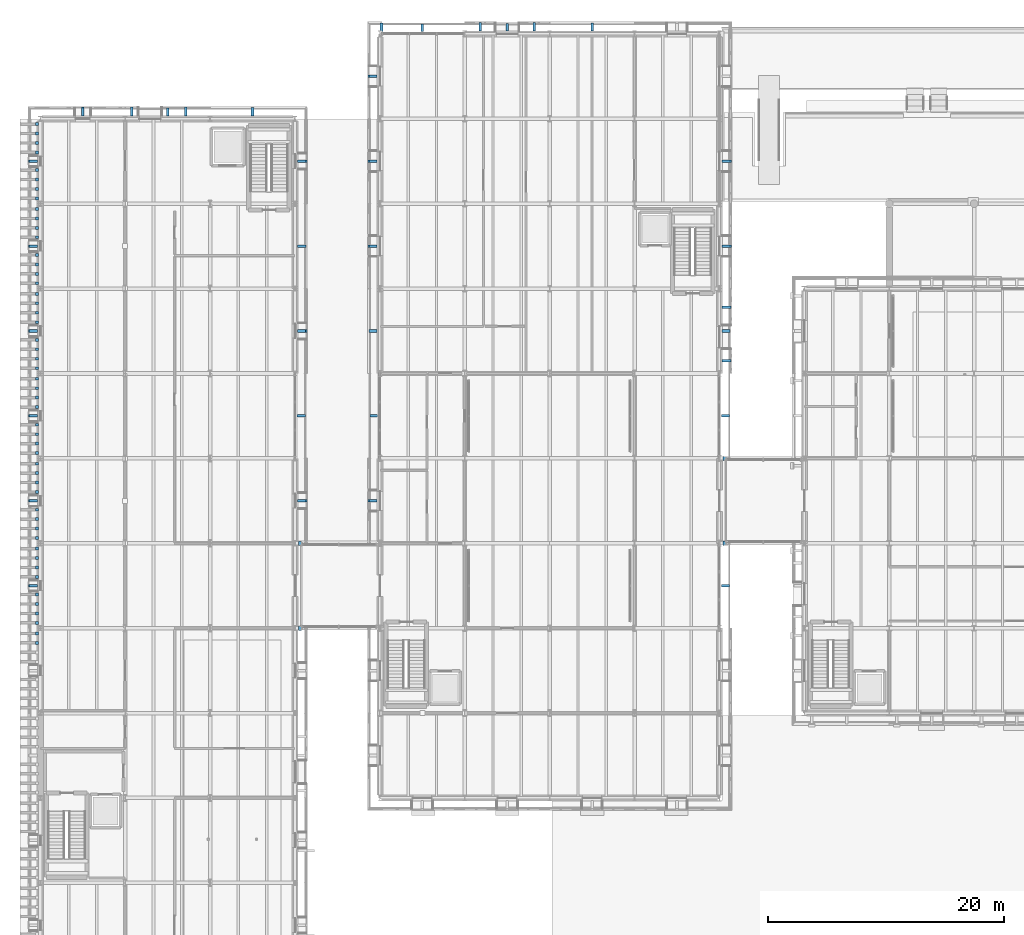
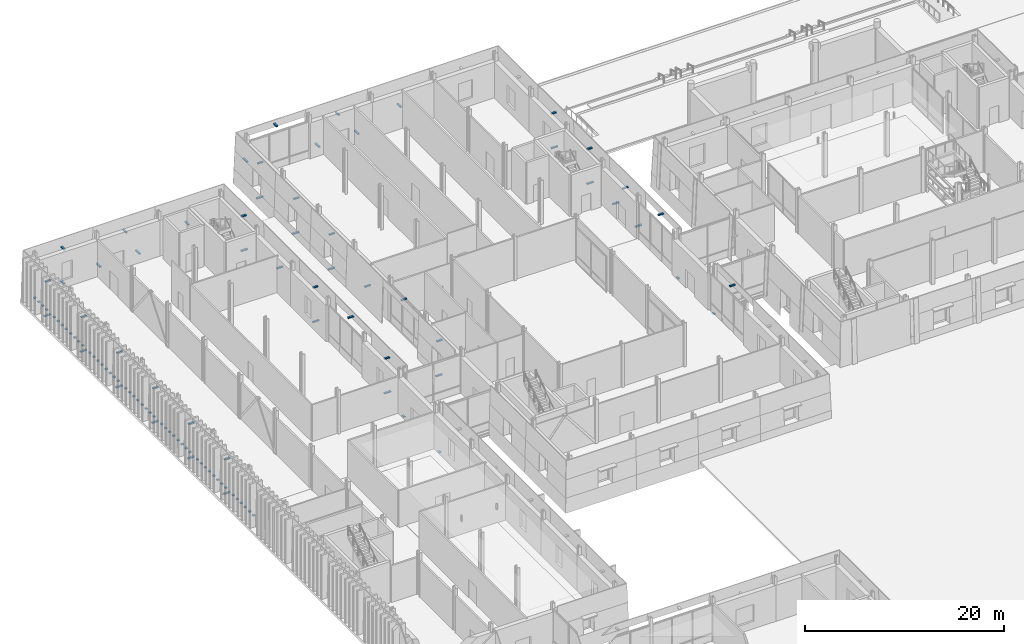
# One storey, part 90 of 120: 105 discrete accessories.
"""IFC4 building model written with IfcOpenShell, lengths in metres."""

from ifc_helpers import new_model, si_unit, direction, frame, origin, origin_2d, place, context, subcontext, project, spatial, rectangle, extrude, material, layer, layer_set, type_object, element, save


model = new_model("IFC4")

# Units and contexts
model_context = context("Model", 3, precision=1e-05, world=origin(), true_north=direction((0.0, 1.0)))
body_context = subcontext(model_context, "Body", "Model", "MODEL_VIEW")
ifc_project = project(units=[si_unit("LENGTHUNIT", "METRE"), si_unit("AREAUNIT", "SQUARE_METRE"), si_unit("VOLUMEUNIT", "CUBIC_METRE"), si_unit("PLANEANGLEUNIT", "RADIAN"), si_unit("MASSUNIT", "GRAM", prefix="KILO")], contexts=[model_context])

# Site, building, storey
site_placement = place(None, origin())
site = spatial("IfcSite", under=ifc_project, at=site_placement, CompositionType="ELEMENT")
building_placement = place(site_placement, origin())
building = spatial("IfcBuilding", under=site, at=building_placement, Name="Narikvali Park Central Library", CompositionType="ELEMENT")
storey_placement = place(building_placement, origin())
storey = spatial("IfcBuildingStorey", under=building, at=storey_placement, Name="L00", CompositionType="ELEMENT", Elevation=0.0)

# Discrete accessories
ifc_material_1 = material(Name="Brushed Stainless Steel S355", Category="steel")
ifc_layer_1 = layer(ifc_material_1, 0.139892578125, Name="Brushed Stainless Steel S355")
ifc_layer_set_1 = layer_set([ifc_layer_1], Name="Brushed Stainless Steel S355")
discrete_accessory_type_1 = type_object("IfcDiscreteAccessoryType", Name="Cladding Stainless Tie-Back Corbel Bracket", PredefinedType="BRACKET", material=ifc_layer_set_1)
for number, where, z_axis, x_axis, name in (
    (1, (58.12158203125, 68.39990234375, 4.8798828125), (0.0, 0.0, 1.0), (1.0, 0.0, 0.0), "Limestone Cladding Tie-Back Bracket V4-CLD-L00-E-B03-HDR"),
    (2, (58.12158203125, 82.800048828125, 4.8798828125), (0.0, 0.0, 1.0), (1.0, 0.0, 0.0), "Limestone Cladding Tie-Back Bracket V4-CLD-L00-E-B05-HDR"),
):
    element("IfcDiscreteAccessory", number, at=place(storey_placement, frame(where, z_axis=z_axis, x_axis=x_axis)), inside=storey, type_object=discrete_accessory_type_1, Name=name, PredefinedType="BRACKET", context=body_context, shape_type="SweptSolid", body=[
        extrude(rectangle(XDim=0.6630859375, YDim=0.219970703125, at=origin_2d()), origin(), (0.0, 0.0, 1.0), 0.139892578125),
    ])
for number, where, z_axis, x_axis, name in (
    (3, (58.2060546875, 87.469970703125, 0.60986328125), (0.0, 0.0, 1.0), (1.0, 0.0, 0.0), "Limestone Cladding Tie-Back Bracket V4-CLD-L00-E-B06-DL"),
    (4, (58.2060546875, 92.030029296875, 0.60986328125), (0.0, 0.0, 1.0), (1.0, 0.0, 0.0), "Limestone Cladding Tie-Back Bracket V4-CLD-L00-E-B06-DR"),
):
    element("IfcDiscreteAccessory", number, at=place(storey_placement, frame(where, z_axis=z_axis, x_axis=x_axis)), inside=storey, type_object=discrete_accessory_type_1, Name=name, PredefinedType="BRACKET", context=body_context, shape_type="SweptSolid", body=[
        extrude(rectangle(XDim=0.752197265625, YDim=0.219970703125, at=origin_2d()), origin(), (0.0, 0.0, 1.0), 0.139892578125),
    ])
discrete_accessory_1_placement = place(storey_placement, frame((58.16064453125, 90.0, 3.75), z_axis=(0.0, 0.0, 1.0), x_axis=(1.0, 0.0, 0.0)))
element("IfcDiscreteAccessory", 5, at=discrete_accessory_1_placement, inside=storey, type_object=discrete_accessory_type_1, Name="Limestone Cladding Tie-Back Bracket V4-CLD-L00-E-B06-DH", PredefinedType="BRACKET", context=body_context, shape_type="SweptSolid", body=[
    extrude(rectangle(XDim=0.661376953125, YDim=0.219970703125, at=origin_2d()), origin(), (0.0, 0.0, 1.0), 0.139892578125),
])
discrete_accessory_2_placement = place(storey_placement, frame((58.217041015625, 97.199951171875, -0.03515625), z_axis=(0.0, 0.0, 1.0), x_axis=(1.0, 0.0, 0.0)))
element("IfcDiscreteAccessory", 6, at=discrete_accessory_2_placement, inside=storey, type_object=discrete_accessory_type_1, Name="Limestone Cladding Tie-Back Bracket V4-CLD-L00-E-B07-SP", PredefinedType="BRACKET", context=body_context, shape_type="SweptSolid", body=[
    extrude(rectangle(XDim=0.77392578125, YDim=0.219970703125, at=origin_2d()), origin(), (0.0, 0.0, 1.0), 0.139892578125),
])
discrete_accessory_3_placement = place(storey_placement, frame((58.153076171875, 97.199951171875, 4.205078125), z_axis=(0.0, 0.0, 1.0), x_axis=(1.0, 0.0, 0.0)))
element("IfcDiscreteAccessory", 7, at=discrete_accessory_3_placement, inside=storey, type_object=discrete_accessory_type_1, Name="Limestone Cladding Tie-Back Bracket V4-CLD-L00-E-B07-LN", PredefinedType="BRACKET", context=body_context, shape_type="SweptSolid", body=[
    extrude(rectangle(XDim=0.64599609375, YDim=0.219970703125, at=origin_2d()), origin(), (0.0, 0.0, 1.0), 0.139892578125),
])
discrete_accessory_4_placement = place(storey_placement, frame((58.217041015625, 104.39990234375, -0.03515625), z_axis=(0.0, 0.0, 1.0), x_axis=(1.0, 0.0, 0.0)))
element("IfcDiscreteAccessory", 8, at=discrete_accessory_4_placement, inside=storey, type_object=discrete_accessory_type_1, Name="Limestone Cladding Tie-Back Bracket V4-CLD-L00-E-B08-SP", PredefinedType="BRACKET", context=body_context, shape_type="SweptSolid", body=[
    extrude(rectangle(XDim=0.77392578125, YDim=0.219970703125, at=origin_2d()), origin(), (0.0, 0.0, 1.0), 0.139892578125),
])
discrete_accessory_5_placement = place(storey_placement, frame((58.153076171875, 104.39990234375, 4.205078125), z_axis=(0.0, 0.0, 1.0), x_axis=(1.0, 0.0, 0.0)))
element("IfcDiscreteAccessory", 9, at=discrete_accessory_5_placement, inside=storey, type_object=discrete_accessory_type_1, Name="Limestone Cladding Tie-Back Bracket V4-CLD-L00-E-B08-LN", PredefinedType="BRACKET", context=body_context, shape_type="SweptSolid", body=[
    extrude(rectangle(XDim=0.64599609375, YDim=0.219970703125, at=origin_2d()), origin(), (0.0, 0.0, 1.0), 0.139892578125),
])
discrete_accessory_6_placement = place(storey_placement, frame((46.800048828125, 115.779541015625, 2.18994140625), z_axis=(0.0, 0.0, 1.0), x_axis=(1.0, 0.0, 0.0)))
element("IfcDiscreteAccessory", 10, at=discrete_accessory_6_placement, inside=storey, type_object=discrete_accessory_type_1, Name="Limestone Cladding Tie-Back Bracket V4-CLD-L00-N-B02-FULL", PredefinedType="BRACKET", context=body_context, shape_type="SweptSolid", body=[
    extrude(rectangle(XDim=0.219970703125, YDim=0.698974609375, at=origin_2d()), origin(), (0.0, 0.0, 1.0), 0.139892578125),
])
for number, where, z_axis, x_axis, name in (
    (11, (41.8798828125, 115.80615234375, 0.60986328125), (0.0, 0.0, 1.0), (1.0, 0.0, 0.0), "Limestone Cladding Tie-Back Bracket V4-CLD-L00-N-B03-DL"),
    (12, (37.320068359375, 115.80615234375, 0.60986328125), (0.0, 0.0, 1.0), (1.0, 0.0, 0.0), "Limestone Cladding Tie-Back Bracket V4-CLD-L00-N-B03-DR"),
):
    element("IfcDiscreteAccessory", number, at=place(storey_placement, frame(where, z_axis=z_axis, x_axis=x_axis)), inside=storey, type_object=discrete_accessory_type_1, Name=name, PredefinedType="BRACKET", context=body_context, shape_type="SweptSolid", body=[
        extrude(rectangle(XDim=0.219970703125, YDim=0.752197265625, at=origin_2d()), origin(), (0.0, 0.0, 1.0), 0.139892578125),
    ])
discrete_accessory_7_placement = place(storey_placement, frame((39.60009765625, 115.760498046875, 3.75), z_axis=(0.0, 0.0, 1.0), x_axis=(1.0, 0.0, 0.0)))
element("IfcDiscreteAccessory", 13, at=discrete_accessory_7_placement, inside=storey, type_object=discrete_accessory_type_1, Name="Limestone Cladding Tie-Back Bracket V4-CLD-L00-N-B03-DH", PredefinedType="BRACKET", context=body_context, shape_type="SweptSolid", body=[
    extrude(rectangle(XDim=0.219970703125, YDim=0.661376953125, at=origin_2d()), origin(), (0.0, 0.0, 1.0), 0.139892578125),
])
discrete_accessory_8_placement = place(storey_placement, frame((32.39990234375, 115.7216796875, 4.8798828125), z_axis=(0.0, 0.0, 1.0), x_axis=(1.0, 0.0, 0.0)))
element("IfcDiscreteAccessory", 14, at=discrete_accessory_8_placement, inside=storey, type_object=discrete_accessory_type_1, Name="Limestone Cladding Tie-Back Bracket V4-CLD-L00-N-B04-HDR", PredefinedType="BRACKET", context=body_context, shape_type="SweptSolid", body=[
    extrude(rectangle(XDim=0.219970703125, YDim=0.6630859375, at=origin_2d()), origin(), (0.0, 0.0, 1.0), 0.139892578125),
])
discrete_accessory_9_placement = place(storey_placement, frame((28.93994140625, 115.76708984375, 1.740234375), z_axis=(0.0, 0.0, 1.0), x_axis=(1.0, 0.0, 0.0)))
element("IfcDiscreteAccessory", 15, at=discrete_accessory_9_placement, inside=storey, type_object=discrete_accessory_type_1, Name="Limestone Cladding Tie-Back Bracket V4-CLD-L00-N-B04-PR", PredefinedType="BRACKET", context=body_context, shape_type="SweptSolid", body=[
    extrude(rectangle(XDim=0.219970703125, YDim=0.754150390625, at=origin_2d()), origin(), (0.0, 0.0, 1.0), 0.139892578125),
])
discrete_accessory_10_placement = place(storey_placement, frame((28.18310546875, 111.60009765625, -0.03515625), z_axis=(0.0, 0.0, 1.0), x_axis=(1.0, 0.0, 0.0)))
element("IfcDiscreteAccessory", 16, at=discrete_accessory_10_placement, inside=storey, type_object=discrete_accessory_type_1, Name="Limestone Cladding Tie-Back Bracket V4-CLD-L00-W-B01-SP", PredefinedType="BRACKET", context=body_context, shape_type="SweptSolid", body=[
    extrude(rectangle(XDim=0.77392578125, YDim=0.219970703125, at=origin_2d()), origin(), (0.0, 0.0, 1.0), 0.139892578125),
])
discrete_accessory_11_placement = place(storey_placement, frame((28.2470703125, 111.60009765625, 4.205078125), z_axis=(0.0, 0.0, 1.0), x_axis=(1.0, 0.0, 0.0)))
element("IfcDiscreteAccessory", 17, at=discrete_accessory_11_placement, inside=storey, type_object=discrete_accessory_type_1, Name="Limestone Cladding Tie-Back Bracket V4-CLD-L00-W-B01-LN", PredefinedType="BRACKET", context=body_context, shape_type="SweptSolid", body=[
    extrude(rectangle(XDim=0.64599609375, YDim=0.219970703125, at=origin_2d()), origin(), (0.0, 0.0, 1.0), 0.139892578125),
])
discrete_accessory_12_placement = place(storey_placement, frame((28.18310546875, 104.39990234375, -0.03515625), z_axis=(0.0, 0.0, 1.0), x_axis=(1.0, 0.0, 0.0)))
element("IfcDiscreteAccessory", 18, at=discrete_accessory_12_placement, inside=storey, type_object=discrete_accessory_type_1, Name="Limestone Cladding Tie-Back Bracket V4-CLD-L00-W-B02-SP", PredefinedType="BRACKET", context=body_context, shape_type="SweptSolid", body=[
    extrude(rectangle(XDim=0.77392578125, YDim=0.219970703125, at=origin_2d()), origin(), (0.0, 0.0, 1.0), 0.139892578125),
])
discrete_accessory_13_placement = place(storey_placement, frame((28.2470703125, 104.39990234375, 4.205078125), z_axis=(0.0, 0.0, 1.0), x_axis=(1.0, 0.0, 0.0)))
element("IfcDiscreteAccessory", 19, at=discrete_accessory_13_placement, inside=storey, type_object=discrete_accessory_type_1, Name="Limestone Cladding Tie-Back Bracket V4-CLD-L00-W-B02-LN", PredefinedType="BRACKET", context=body_context, shape_type="SweptSolid", body=[
    extrude(rectangle(XDim=0.64599609375, YDim=0.219970703125, at=origin_2d()), origin(), (0.0, 0.0, 1.0), 0.139892578125),
])
discrete_accessory_14_placement = place(storey_placement, frame((28.18310546875, 97.199951171875, -0.03515625), z_axis=(0.0, 0.0, 1.0), x_axis=(1.0, 0.0, 0.0)))
element("IfcDiscreteAccessory", 20, at=discrete_accessory_14_placement, inside=storey, type_object=discrete_accessory_type_1, Name="Limestone Cladding Tie-Back Bracket V4-CLD-L00-W-B03-SP", PredefinedType="BRACKET", context=body_context, shape_type="SweptSolid", body=[
    extrude(rectangle(XDim=0.77392578125, YDim=0.219970703125, at=origin_2d()), origin(), (0.0, 0.0, 1.0), 0.139892578125),
])
discrete_accessory_15_placement = place(storey_placement, frame((28.2470703125, 97.199951171875, 4.205078125), z_axis=(0.0, 0.0, 1.0), x_axis=(1.0, 0.0, 0.0)))
element("IfcDiscreteAccessory", 21, at=discrete_accessory_15_placement, inside=storey, type_object=discrete_accessory_type_1, Name="Limestone Cladding Tie-Back Bracket V4-CLD-L00-W-B03-LN", PredefinedType="BRACKET", context=body_context, shape_type="SweptSolid", body=[
    extrude(rectangle(XDim=0.64599609375, YDim=0.219970703125, at=origin_2d()), origin(), (0.0, 0.0, 1.0), 0.139892578125),
])
discrete_accessory_16_placement = place(storey_placement, frame((28.220458984375, 90.0, 2.18994140625), z_axis=(0.0, 0.0, 1.0), x_axis=(1.0, 0.0, 0.0)))
element("IfcDiscreteAccessory", 22, at=discrete_accessory_16_placement, inside=storey, type_object=discrete_accessory_type_1, Name="Limestone Cladding Tie-Back Bracket V4-CLD-L00-W-B04-FULL", PredefinedType="BRACKET", context=body_context, shape_type="SweptSolid", body=[
    extrude(rectangle(XDim=0.698974609375, YDim=0.219970703125, at=origin_2d()), origin(), (0.0, 0.0, 1.0), 0.139892578125),
])
discrete_accessory_17_placement = place(storey_placement, frame((28.2783203125, 82.800048828125, 4.8798828125), z_axis=(0.0, 0.0, 1.0), x_axis=(1.0, 0.0, 0.0)))
element("IfcDiscreteAccessory", 23, at=discrete_accessory_17_placement, inside=storey, type_object=discrete_accessory_type_1, Name="Limestone Cladding Tie-Back Bracket V4-CLD-L00-W-B05-HDR", PredefinedType="BRACKET", context=body_context, shape_type="SweptSolid", body=[
    extrude(rectangle(XDim=0.6630859375, YDim=0.219970703125, at=origin_2d()), origin(), (0.0, 0.0, 1.0), 0.139892578125),
])
discrete_accessory_18_placement = place(storey_placement, frame((28.18310546875, 75.60009765625, -0.03515625), z_axis=(0.0, 0.0, 1.0), x_axis=(1.0, 0.0, 0.0)))
element("IfcDiscreteAccessory", 24, at=discrete_accessory_18_placement, inside=storey, type_object=discrete_accessory_type_1, Name="Limestone Cladding Tie-Back Bracket V4-CLD-L00-W-B06-SP", PredefinedType="BRACKET", context=body_context, shape_type="SweptSolid", body=[
    extrude(rectangle(XDim=0.77392578125, YDim=0.219970703125, at=origin_2d()), origin(), (0.0, 0.0, 1.0), 0.139892578125),
])
discrete_accessory_19_placement = place(storey_placement, frame((28.2470703125, 75.60009765625, 4.205078125), z_axis=(0.0, 0.0, 1.0), x_axis=(1.0, 0.0, 0.0)))
element("IfcDiscreteAccessory", 25, at=discrete_accessory_19_placement, inside=storey, type_object=discrete_accessory_type_1, Name="Limestone Cladding Tie-Back Bracket V4-CLD-L00-W-B06-LN", PredefinedType="BRACKET", context=body_context, shape_type="SweptSolid", body=[
    extrude(rectangle(XDim=0.64599609375, YDim=0.219970703125, at=origin_2d()), origin(), (0.0, 0.0, 1.0), 0.139892578125),
])
discrete_accessory_20_placement = place(storey_placement, frame((22.21826171875, 75.60009765625, -0.03515625), z_axis=(0.0, 0.0, 1.0), x_axis=(1.0, 0.0, 0.0)))
element("IfcDiscreteAccessory", 26, at=discrete_accessory_20_placement, inside=storey, type_object=discrete_accessory_type_1, Name="Limestone Cladding Tie-Back Bracket V5-CLD-L00-E-B07-SP", PredefinedType="BRACKET", context=body_context, shape_type="SweptSolid", body=[
    extrude(rectangle(XDim=0.776611328125, YDim=0.219970703125, at=origin_2d()), origin(), (0.0, 0.0, 1.0), 0.139892578125),
])
discrete_accessory_21_placement = place(storey_placement, frame((22.164794921875, 75.60009765625, 4.18017578125), z_axis=(0.0, 0.0, 1.0), x_axis=(1.0, 0.0, 0.0)))
element("IfcDiscreteAccessory", 27, at=discrete_accessory_21_placement, inside=storey, type_object=discrete_accessory_type_1, Name="Limestone Cladding Tie-Back Bracket V5-CLD-L00-E-B07-LN", PredefinedType="BRACKET", context=body_context, shape_type="SweptSolid", body=[
    extrude(rectangle(XDim=0.66943359375, YDim=0.219970703125, at=origin_2d()), origin(), (0.0, 0.0, 1.0), 0.139892578125),
])
discrete_accessory_22_placement = place(storey_placement, frame((22.135009765625, 82.800048828125, 4.8701171875), z_axis=(0.0, 0.0, 1.0), x_axis=(1.0, 0.0, 0.0)))
element("IfcDiscreteAccessory", 28, at=discrete_accessory_22_placement, inside=storey, type_object=discrete_accessory_type_1, Name="Limestone Cladding Tie-Back Bracket V5-CLD-L00-E-B08-HDR", PredefinedType="BRACKET", context=body_context, shape_type="SweptSolid", body=[
    extrude(rectangle(XDim=0.68994140625, YDim=0.219970703125, at=origin_2d()), origin(), (0.0, 0.0, 1.0), 0.139892578125),
])
discrete_accessory_23_placement = place(storey_placement, frame((22.21826171875, 90.0, -0.03515625), z_axis=(0.0, 0.0, 1.0), x_axis=(1.0, 0.0, 0.0)))
element("IfcDiscreteAccessory", 29, at=discrete_accessory_23_placement, inside=storey, type_object=discrete_accessory_type_1, Name="Limestone Cladding Tie-Back Bracket V5-CLD-L00-E-B09-SP", PredefinedType="BRACKET", context=body_context, shape_type="SweptSolid", body=[
    extrude(rectangle(XDim=0.776611328125, YDim=0.219970703125, at=origin_2d()), origin(), (0.0, 0.0, 1.0), 0.139892578125),
])
discrete_accessory_24_placement = place(storey_placement, frame((22.164794921875, 90.0, 4.18017578125), z_axis=(0.0, 0.0, 1.0), x_axis=(1.0, 0.0, 0.0)))
element("IfcDiscreteAccessory", 30, at=discrete_accessory_24_placement, inside=storey, type_object=discrete_accessory_type_1, Name="Limestone Cladding Tie-Back Bracket V5-CLD-L00-E-B09-LN", PredefinedType="BRACKET", context=body_context, shape_type="SweptSolid", body=[
    extrude(rectangle(XDim=0.66943359375, YDim=0.219970703125, at=origin_2d()), origin(), (0.0, 0.0, 1.0), 0.139892578125),
])
discrete_accessory_25_placement = place(storey_placement, frame((22.186767578125, 97.199951171875, 2.18994140625), z_axis=(0.0, 0.0, 1.0), x_axis=(1.0, 0.0, 0.0)))
element("IfcDiscreteAccessory", 31, at=discrete_accessory_25_placement, inside=storey, type_object=discrete_accessory_type_1, Name="Limestone Cladding Tie-Back Bracket V5-CLD-L00-E-B10-FULL", PredefinedType="BRACKET", context=body_context, shape_type="SweptSolid", body=[
    extrude(rectangle(XDim=0.71337890625, YDim=0.219970703125, at=origin_2d()), origin(), (0.0, 0.0, 1.0), 0.139892578125),
])
discrete_accessory_26_placement = place(storey_placement, frame((22.21826171875, 104.39990234375, -0.03515625), z_axis=(0.0, 0.0, 1.0), x_axis=(1.0, 0.0, 0.0)))
element("IfcDiscreteAccessory", 32, at=discrete_accessory_26_placement, inside=storey, type_object=discrete_accessory_type_1, Name="Limestone Cladding Tie-Back Bracket V5-CLD-L00-E-B11-SP", PredefinedType="BRACKET", context=body_context, shape_type="SweptSolid", body=[
    extrude(rectangle(XDim=0.776611328125, YDim=0.219970703125, at=origin_2d()), origin(), (0.0, 0.0, 1.0), 0.139892578125),
])
discrete_accessory_27_placement = place(storey_placement, frame((22.164794921875, 104.39990234375, 4.18017578125), z_axis=(0.0, 0.0, 1.0), x_axis=(1.0, 0.0, 0.0)))
element("IfcDiscreteAccessory", 33, at=discrete_accessory_27_placement, inside=storey, type_object=discrete_accessory_type_1, Name="Limestone Cladding Tie-Back Bracket V5-CLD-L00-E-B11-LN", PredefinedType="BRACKET", context=body_context, shape_type="SweptSolid", body=[
    extrude(rectangle(XDim=0.66943359375, YDim=0.219970703125, at=origin_2d()), origin(), (0.0, 0.0, 1.0), 0.139892578125),
])
discrete_accessory_28_placement = place(storey_placement, frame((18.0, 108.586669921875, 2.18994140625), z_axis=(0.0, 0.0, 1.0), x_axis=(1.0, 0.0, 0.0)))
element("IfcDiscreteAccessory", 34, at=discrete_accessory_28_placement, inside=storey, type_object=discrete_accessory_type_1, Name="Limestone Cladding Tie-Back Bracket V5-CLD-L00-N-B01-FULL", PredefinedType="BRACKET", context=body_context, shape_type="SweptSolid", body=[
    extrude(rectangle(XDim=0.219970703125, YDim=0.71337890625, at=origin_2d()), origin(), (0.0, 0.0, 1.0), 0.139892578125),
])
for number, where, z_axis, x_axis, name in (
    (35, (12.330078125, 108.609130859375, 0.60986328125), (0.0, 0.0, 1.0), (1.0, 0.0, 0.0), "Limestone Cladding Tie-Back Bracket V5-CLD-L00-N-B02-DL"),
    (36, (7.77001953125, 108.609130859375, 0.60986328125), (0.0, 0.0, 1.0), (1.0, 0.0, 0.0), "Limestone Cladding Tie-Back Bracket V5-CLD-L00-N-B02-DR"),
):
    element("IfcDiscreteAccessory", number, at=place(storey_placement, frame(where, z_axis=z_axis, x_axis=x_axis)), inside=storey, type_object=discrete_accessory_type_1, Name=name, PredefinedType="BRACKET", context=body_context, shape_type="SweptSolid", body=[
        extrude(rectangle(XDim=0.219970703125, YDim=0.75830078125, at=origin_2d()), origin(), (0.0, 0.0, 1.0), 0.139892578125),
    ])
discrete_accessory_29_placement = place(storey_placement, frame((10.800048828125, 108.57080078125, 3.75), z_axis=(0.0, 0.0, 1.0), x_axis=(1.0, 0.0, 0.0)))
element("IfcDiscreteAccessory", 37, at=discrete_accessory_29_placement, inside=storey, type_object=discrete_accessory_type_1, Name="Limestone Cladding Tie-Back Bracket V5-CLD-L00-N-B02-DH", PredefinedType="BRACKET", context=body_context, shape_type="SweptSolid", body=[
    extrude(rectangle(XDim=0.219970703125, YDim=0.681640625, at=origin_2d()), origin(), (0.0, 0.0, 1.0), 0.139892578125),
])
discrete_accessory_30_placement = place(storey_placement, frame((3.60009765625, 108.618408203125, -0.03515625), z_axis=(0.0, 0.0, 1.0), x_axis=(1.0, 0.0, 0.0)))
element("IfcDiscreteAccessory", 38, at=discrete_accessory_30_placement, inside=storey, type_object=discrete_accessory_type_1, Name="Limestone Cladding Tie-Back Bracket V5-CLD-L00-N-B03-SP", PredefinedType="BRACKET", context=body_context, shape_type="SweptSolid", body=[
    extrude(rectangle(XDim=0.219970703125, YDim=0.776611328125, at=origin_2d()), origin(), (0.0, 0.0, 1.0), 0.139892578125),
])
discrete_accessory_31_placement = place(storey_placement, frame((3.60009765625, 108.564697265625, 4.18017578125), z_axis=(0.0, 0.0, 1.0), x_axis=(1.0, 0.0, 0.0)))
element("IfcDiscreteAccessory", 39, at=discrete_accessory_31_placement, inside=storey, type_object=discrete_accessory_type_1, Name="Limestone Cladding Tie-Back Bracket V5-CLD-L00-N-B03-LN", PredefinedType="BRACKET", context=body_context, shape_type="SweptSolid", body=[
    extrude(rectangle(XDim=0.219970703125, YDim=0.66943359375, at=origin_2d()), origin(), (0.0, 0.0, 1.0), 0.139892578125),
])
discrete_accessory_32_placement = place(storey_placement, frame((-0.6181640625, 104.39990234375, -0.03515625), z_axis=(0.0, 0.0, 1.0), x_axis=(1.0, 0.0, 0.0)))
element("IfcDiscreteAccessory", 40, at=discrete_accessory_32_placement, inside=storey, type_object=discrete_accessory_type_1, Name="Limestone Cladding Tie-Back Bracket V5-CLD-L00-W-B01-SP", PredefinedType="BRACKET", context=body_context, shape_type="SweptSolid", body=[
    extrude(rectangle(XDim=0.776611328125, YDim=0.219970703125, at=origin_2d()), origin(), (0.0, 0.0, 1.0), 0.139892578125),
])
discrete_accessory_33_placement = place(storey_placement, frame((-0.564697265625, 104.39990234375, 4.18017578125), z_axis=(0.0, 0.0, 1.0), x_axis=(1.0, 0.0, 0.0)))
element("IfcDiscreteAccessory", 41, at=discrete_accessory_33_placement, inside=storey, type_object=discrete_accessory_type_1, Name="Limestone Cladding Tie-Back Bracket V5-CLD-L00-W-B01-LN", PredefinedType="BRACKET", context=body_context, shape_type="SweptSolid", body=[
    extrude(rectangle(XDim=0.66943359375, YDim=0.219970703125, at=origin_2d()), origin(), (0.0, 0.0, 1.0), 0.139892578125),
])
discrete_accessory_34_placement = place(storey_placement, frame((-0.6181640625, 97.199951171875, -0.03515625), z_axis=(0.0, 0.0, 1.0), x_axis=(1.0, 0.0, 0.0)))
element("IfcDiscreteAccessory", 42, at=discrete_accessory_34_placement, inside=storey, type_object=discrete_accessory_type_1, Name="Limestone Cladding Tie-Back Bracket V5-CLD-L00-W-B02-SP", PredefinedType="BRACKET", context=body_context, shape_type="SweptSolid", body=[
    extrude(rectangle(XDim=0.776611328125, YDim=0.219970703125, at=origin_2d()), origin(), (0.0, 0.0, 1.0), 0.139892578125),
])
discrete_accessory_35_placement = place(storey_placement, frame((-0.564697265625, 97.199951171875, 4.18017578125), z_axis=(0.0, 0.0, 1.0), x_axis=(1.0, 0.0, 0.0)))
element("IfcDiscreteAccessory", 43, at=discrete_accessory_35_placement, inside=storey, type_object=discrete_accessory_type_1, Name="Limestone Cladding Tie-Back Bracket V5-CLD-L00-W-B02-LN", PredefinedType="BRACKET", context=body_context, shape_type="SweptSolid", body=[
    extrude(rectangle(XDim=0.66943359375, YDim=0.219970703125, at=origin_2d()), origin(), (0.0, 0.0, 1.0), 0.139892578125),
])
discrete_accessory_36_placement = place(storey_placement, frame((-0.6181640625, 90.0, -0.03515625), z_axis=(0.0, 0.0, 1.0), x_axis=(1.0, 0.0, 0.0)))
element("IfcDiscreteAccessory", 44, at=discrete_accessory_36_placement, inside=storey, type_object=discrete_accessory_type_1, Name="Limestone Cladding Tie-Back Bracket V5-CLD-L00-W-B03-SP", PredefinedType="BRACKET", context=body_context, shape_type="SweptSolid", body=[
    extrude(rectangle(XDim=0.776611328125, YDim=0.219970703125, at=origin_2d()), origin(), (0.0, 0.0, 1.0), 0.139892578125),
])
discrete_accessory_37_placement = place(storey_placement, frame((-0.564697265625, 90.0, 4.18017578125), z_axis=(0.0, 0.0, 1.0), x_axis=(1.0, 0.0, 0.0)))
element("IfcDiscreteAccessory", 45, at=discrete_accessory_37_placement, inside=storey, type_object=discrete_accessory_type_1, Name="Limestone Cladding Tie-Back Bracket V5-CLD-L00-W-B03-LN", PredefinedType="BRACKET", context=body_context, shape_type="SweptSolid", body=[
    extrude(rectangle(XDim=0.66943359375, YDim=0.219970703125, at=origin_2d()), origin(), (0.0, 0.0, 1.0), 0.139892578125),
])
discrete_accessory_38_placement = place(storey_placement, frame((-0.6181640625, 82.800048828125, -0.03515625), z_axis=(0.0, 0.0, 1.0), x_axis=(1.0, 0.0, 0.0)))
element("IfcDiscreteAccessory", 46, at=discrete_accessory_38_placement, inside=storey, type_object=discrete_accessory_type_1, Name="Limestone Cladding Tie-Back Bracket V5-CLD-L00-W-B04-SP", PredefinedType="BRACKET", context=body_context, shape_type="SweptSolid", body=[
    extrude(rectangle(XDim=0.776611328125, YDim=0.219970703125, at=origin_2d()), origin(), (0.0, 0.0, 1.0), 0.139892578125),
])
discrete_accessory_39_placement = place(storey_placement, frame((-0.564697265625, 82.800048828125, 4.18017578125), z_axis=(0.0, 0.0, 1.0), x_axis=(1.0, 0.0, 0.0)))
element("IfcDiscreteAccessory", 47, at=discrete_accessory_39_placement, inside=storey, type_object=discrete_accessory_type_1, Name="Limestone Cladding Tie-Back Bracket V5-CLD-L00-W-B04-LN", PredefinedType="BRACKET", context=body_context, shape_type="SweptSolid", body=[
    extrude(rectangle(XDim=0.66943359375, YDim=0.219970703125, at=origin_2d()), origin(), (0.0, 0.0, 1.0), 0.139892578125),
])
discrete_accessory_40_placement = place(storey_placement, frame((-0.6181640625, 75.60009765625, -0.03515625), z_axis=(0.0, 0.0, 1.0), x_axis=(1.0, 0.0, 0.0)))
element("IfcDiscreteAccessory", 48, at=discrete_accessory_40_placement, inside=storey, type_object=discrete_accessory_type_1, Name="Limestone Cladding Tie-Back Bracket V5-CLD-L00-W-B05-SP", PredefinedType="BRACKET", context=body_context, shape_type="SweptSolid", body=[
    extrude(rectangle(XDim=0.776611328125, YDim=0.219970703125, at=origin_2d()), origin(), (0.0, 0.0, 1.0), 0.139892578125),
])
discrete_accessory_41_placement = place(storey_placement, frame((-0.564697265625, 75.60009765625, 4.18017578125), z_axis=(0.0, 0.0, 1.0), x_axis=(1.0, 0.0, 0.0)))
element("IfcDiscreteAccessory", 49, at=discrete_accessory_41_placement, inside=storey, type_object=discrete_accessory_type_1, Name="Limestone Cladding Tie-Back Bracket V5-CLD-L00-W-B05-LN", PredefinedType="BRACKET", context=body_context, shape_type="SweptSolid", body=[
    extrude(rectangle(XDim=0.66943359375, YDim=0.219970703125, at=origin_2d()), origin(), (0.0, 0.0, 1.0), 0.139892578125),
])
discrete_accessory_42_placement = place(storey_placement, frame((-0.6181640625, 68.39990234375, -0.03515625), z_axis=(0.0, 0.0, 1.0), x_axis=(1.0, 0.0, 0.0)))
element("IfcDiscreteAccessory", 50, at=discrete_accessory_42_placement, inside=storey, type_object=discrete_accessory_type_1, Name="Limestone Cladding Tie-Back Bracket V5-CLD-L00-W-B06-SP", PredefinedType="BRACKET", context=body_context, shape_type="SweptSolid", body=[
    extrude(rectangle(XDim=0.776611328125, YDim=0.219970703125, at=origin_2d()), origin(), (0.0, 0.0, 1.0), 0.139892578125),
])
discrete_accessory_43_placement = place(storey_placement, frame((-0.564697265625, 68.39990234375, 4.18017578125), z_axis=(0.0, 0.0, 1.0), x_axis=(1.0, 0.0, 0.0)))
element("IfcDiscreteAccessory", 51, at=discrete_accessory_43_placement, inside=storey, type_object=discrete_accessory_type_1, Name="Limestone Cladding Tie-Back Bracket V5-CLD-L00-W-B06-LN", PredefinedType="BRACKET", context=body_context, shape_type="SweptSolid", body=[
    extrude(rectangle(XDim=0.66943359375, YDim=0.219970703125, at=origin_2d()), origin(), (0.0, 0.0, 1.0), 0.139892578125),
])
ifc_material_2 = material(Name="Galvanised Steel S355", Category="steel")
ifc_layer_2 = layer(ifc_material_2, 0.139892578125, Name="Galvanised Steel S355")
ifc_layer_set_2 = layer_set([ifc_layer_2], Name="Galvanised Steel S355")
discrete_accessory_type_2 = type_object("IfcDiscreteAccessoryType", Name="Fin Base Steel Fixing Bracket", PredefinedType="BRACKET", material=ifc_layer_set_2)
for number, where, z_axis, x_axis, name in (
    (52, (-0.260009765625, 63.550048828125, 0.05029296875), (0.0, 0.0, 1.0), (1.0, 0.0, 0.0), "Brick Fin Base Fixing Bracket 039"),
    (53, (-0.260009765625, 64.35009765625, 0.05029296875), (0.0, 0.0, 1.0), (1.0, 0.0, 0.0), "Brick Fin Base Fixing Bracket 040"),
    (54, (-0.260009765625, 65.25, 0.05029296875), (0.0, 0.0, 1.0), (1.0, 0.0, 0.0), "Brick Fin Base Fixing Bracket 041"),
    (55, (-0.260009765625, 66.050048828125, 0.05029296875), (0.0, 0.0, 1.0), (1.0, 0.0, 0.0), "Brick Fin Base Fixing Bracket 042"),
    (56, (-0.260009765625, 66.85009765625, 0.05029296875), (0.0, 0.0, 1.0), (1.0, 0.0, 0.0), "Brick Fin Base Fixing Bracket 043"),
    (57, (-0.260009765625, 67.64990234375, 0.05029296875), (0.0, 0.0, 1.0), (1.0, 0.0, 0.0), "Brick Fin Base Fixing Bracket 044"),
    (58, (-0.260009765625, 69.14990234375, 0.05029296875), (0.0, 0.0, 1.0), (1.0, 0.0, 0.0), "Brick Fin Base Fixing Bracket 045"),
    (59, (-0.260009765625, 69.949951171875, 0.05029296875), (0.0, 0.0, 1.0), (1.0, 0.0, 0.0), "Brick Fin Base Fixing Bracket 046"),
    (60, (-0.260009765625, 70.75, 0.05029296875), (0.0, 0.0, 1.0), (1.0, 0.0, 0.0), "Brick Fin Base Fixing Bracket 047"),
    (61, (-0.260009765625, 71.550048828125, 0.05029296875), (0.0, 0.0, 1.0), (1.0, 0.0, 0.0), "Brick Fin Base Fixing Bracket 048"),
    (62, (-0.260009765625, 72.449951171875, 0.05029296875), (0.0, 0.0, 1.0), (1.0, 0.0, 0.0), "Brick Fin Base Fixing Bracket 049"),
    (63, (-0.260009765625, 73.25, 0.05029296875), (0.0, 0.0, 1.0), (1.0, 0.0, 0.0), "Brick Fin Base Fixing Bracket 050"),
    (64, (-0.260009765625, 74.050048828125, 0.05029296875), (0.0, 0.0, 1.0), (1.0, 0.0, 0.0), "Brick Fin Base Fixing Bracket 051"),
    (65, (-0.260009765625, 74.85009765625, 0.05029296875), (0.0, 0.0, 1.0), (1.0, 0.0, 0.0), "Brick Fin Base Fixing Bracket 052"),
    (66, (-0.260009765625, 76.35009765625, 0.05029296875), (0.0, 0.0, 1.0), (1.0, 0.0, 0.0), "Brick Fin Base Fixing Bracket 053"),
    (67, (-0.260009765625, 77.14990234375, 0.05029296875), (0.0, 0.0, 1.0), (1.0, 0.0, 0.0), "Brick Fin Base Fixing Bracket 054"),
    (68, (-0.260009765625, 77.949951171875, 0.05029296875), (0.0, 0.0, 1.0), (1.0, 0.0, 0.0), "Brick Fin Base Fixing Bracket 055"),
    (69, (-0.260009765625, 78.75, 0.05029296875), (0.0, 0.0, 1.0), (1.0, 0.0, 0.0), "Brick Fin Base Fixing Bracket 056"),
    (70, (-0.260009765625, 79.64990234375, 0.05029296875), (0.0, 0.0, 1.0), (1.0, 0.0, 0.0), "Brick Fin Base Fixing Bracket 057"),
    (71, (-0.260009765625, 80.449951171875, 0.05029296875), (0.0, 0.0, 1.0), (1.0, 0.0, 0.0), "Brick Fin Base Fixing Bracket 058"),
    (72, (-0.260009765625, 81.25, 0.05029296875), (0.0, 0.0, 1.0), (1.0, 0.0, 0.0), "Brick Fin Base Fixing Bracket 059"),
    (73, (-0.260009765625, 82.050048828125, 0.05029296875), (0.0, 0.0, 1.0), (1.0, 0.0, 0.0), "Brick Fin Base Fixing Bracket 060"),
    (74, (-0.260009765625, 83.550048828125, 0.05029296875), (0.0, 0.0, 1.0), (1.0, 0.0, 0.0), "Brick Fin Base Fixing Bracket 061"),
    (75, (-0.260009765625, 84.35009765625, 0.05029296875), (0.0, 0.0, 1.0), (1.0, 0.0, 0.0), "Brick Fin Base Fixing Bracket 062"),
    (76, (-0.260009765625, 85.14990234375, 0.05029296875), (0.0, 0.0, 1.0), (1.0, 0.0, 0.0), "Brick Fin Base Fixing Bracket 063"),
    (77, (-0.260009765625, 85.949951171875, 0.05029296875), (0.0, 0.0, 1.0), (1.0, 0.0, 0.0), "Brick Fin Base Fixing Bracket 064"),
    (78, (-0.260009765625, 86.85009765625, 0.05029296875), (0.0, 0.0, 1.0), (1.0, 0.0, 0.0), "Brick Fin Base Fixing Bracket 065"),
    (79, (-0.260009765625, 87.64990234375, 0.05029296875), (0.0, 0.0, 1.0), (1.0, 0.0, 0.0), "Brick Fin Base Fixing Bracket 066"),
    (80, (-0.260009765625, 88.449951171875, 0.05029296875), (0.0, 0.0, 1.0), (1.0, 0.0, 0.0), "Brick Fin Base Fixing Bracket 067"),
    (81, (-0.260009765625, 89.25, 0.05029296875), (0.0, 0.0, 1.0), (1.0, 0.0, 0.0), "Brick Fin Base Fixing Bracket 068"),
    (82, (-0.260009765625, 90.75, 0.05029296875), (0.0, 0.0, 1.0), (1.0, 0.0, 0.0), "Brick Fin Base Fixing Bracket 069"),
    (83, (-0.260009765625, 91.550048828125, 0.05029296875), (0.0, 0.0, 1.0), (1.0, 0.0, 0.0), "Brick Fin Base Fixing Bracket 070"),
    (84, (-0.260009765625, 92.35009765625, 0.05029296875), (0.0, 0.0, 1.0), (1.0, 0.0, 0.0), "Brick Fin Base Fixing Bracket 071"),
    (85, (-0.260009765625, 93.14990234375, 0.05029296875), (0.0, 0.0, 1.0), (1.0, 0.0, 0.0), "Brick Fin Base Fixing Bracket 072"),
    (86, (-0.260009765625, 94.050048828125, 0.05029296875), (0.0, 0.0, 1.0), (1.0, 0.0, 0.0), "Brick Fin Base Fixing Bracket 073"),
    (87, (-0.260009765625, 94.85009765625, 0.05029296875), (0.0, 0.0, 1.0), (1.0, 0.0, 0.0), "Brick Fin Base Fixing Bracket 074"),
    (88, (-0.260009765625, 95.64990234375, 0.05029296875), (0.0, 0.0, 1.0), (1.0, 0.0, 0.0), "Brick Fin Base Fixing Bracket 075"),
    (89, (-0.260009765625, 96.449951171875, 0.05029296875), (0.0, 0.0, 1.0), (1.0, 0.0, 0.0), "Brick Fin Base Fixing Bracket 076"),
    (90, (-0.260009765625, 97.949951171875, 0.05029296875), (0.0, 0.0, 1.0), (1.0, 0.0, 0.0), "Brick Fin Base Fixing Bracket 077"),
    (91, (-0.260009765625, 98.75, 0.05029296875), (0.0, 0.0, 1.0), (1.0, 0.0, 0.0), "Brick Fin Base Fixing Bracket 078"),
    (92, (-0.260009765625, 99.550048828125, 0.05029296875), (0.0, 0.0, 1.0), (1.0, 0.0, 0.0), "Brick Fin Base Fixing Bracket 079"),
    (93, (-0.260009765625, 100.35009765625, 0.05029296875), (0.0, 0.0, 1.0), (1.0, 0.0, 0.0), "Brick Fin Base Fixing Bracket 080"),
    (94, (-0.260009765625, 101.25, 0.05029296875), (0.0, 0.0, 1.0), (1.0, 0.0, 0.0), "Brick Fin Base Fixing Bracket 081"),
    (95, (-0.260009765625, 102.050048828125, 0.05029296875), (0.0, 0.0, 1.0), (1.0, 0.0, 0.0), "Brick Fin Base Fixing Bracket 082"),
    (96, (-0.260009765625, 102.85009765625, 0.05029296875), (0.0, 0.0, 1.0), (1.0, 0.0, 0.0), "Brick Fin Base Fixing Bracket 083"),
    (97, (-0.260009765625, 103.64990234375, 0.05029296875), (0.0, 0.0, 1.0), (1.0, 0.0, 0.0), "Brick Fin Base Fixing Bracket 084"),
    (98, (-0.260009765625, 105.14990234375, 0.05029296875), (0.0, 0.0, 1.0), (1.0, 0.0, 0.0), "Brick Fin Base Fixing Bracket 085"),
    (99, (-0.260009765625, 105.949951171875, 0.05029296875), (0.0, 0.0, 1.0), (1.0, 0.0, 0.0), "Brick Fin Base Fixing Bracket 086"),
    (100, (-0.260009765625, 106.75, 0.05029296875), (0.0, 0.0, 1.0), (1.0, 0.0, 0.0), "Brick Fin Base Fixing Bracket 087"),
    (101, (-0.260009765625, 107.550048828125, 0.05029296875), (0.0, 0.0, 1.0), (1.0, 0.0, 0.0), "Brick Fin Base Fixing Bracket 088"),
):
    element("IfcDiscreteAccessory", number, at=place(storey_placement, frame(where, z_axis=z_axis, x_axis=x_axis)), inside=storey, type_object=discrete_accessory_type_2, Name=name, PredefinedType="BRACKET", context=body_context, shape_type="SweptSolid", body=[
        extrude(rectangle(XDim=0.260009765625, YDim=0.239990234375, at=origin_2d()), origin(), (0.0, 0.0, 1.0), 0.139892578125),
    ])
ifc_layer_3 = layer(ifc_material_1, 0.080078125, Name="Brushed Stainless Steel S355")
ifc_layer_set_3 = layer_set([ifc_layer_3], Name="Brushed Stainless Steel S355")
discrete_accessory_type_3 = type_object("IfcDiscreteAccessoryType", Name="Unguided PTFE Sliding Bridge Bearing", PredefinedType="BRACKET", material=ifc_layer_set_3)
for number, where, z_axis, x_axis, name in (
    (102, (22.030029296875, 64.800048828125, -0.679931640625), (0.0, 0.0, 1.0), (1.0, 0.0, 0.0), "BRG-1 L00 Unguided PTFE Sliding Bearing 1"),
    (103, (22.030029296875, 72.0, -0.679931640625), (0.0, 0.0, 1.0), (1.0, 0.0, 0.0), "BRG-1 L00 Unguided PTFE Sliding Bearing 2"),
    (104, (58.030029296875, 72.0, -0.679931640625), (0.0, 0.0, 1.0), (1.0, 0.0, 0.0), "BRG-2 L00 Unguided PTFE Sliding Bearing 1"),
    (105, (58.030029296875, 79.199951171875, -0.679931640625), (0.0, 0.0, 1.0), (1.0, 0.0, 0.0), "BRG-2 L00 Unguided PTFE Sliding Bearing 2"),
):
    element("IfcDiscreteAccessory", number, at=place(storey_placement, frame(where, z_axis=z_axis, x_axis=x_axis)), inside=storey, type_object=discrete_accessory_type_3, Name=name, PredefinedType="BRACKET", context=body_context, shape_type="SweptSolid", body=[
        extrude(rectangle(XDim=0.239990234375, YDim=0.360107421875, at=origin_2d()), origin(), (0.0, 0.0, 1.0), 0.080078125),
    ])

save(model, "model.ifc")
